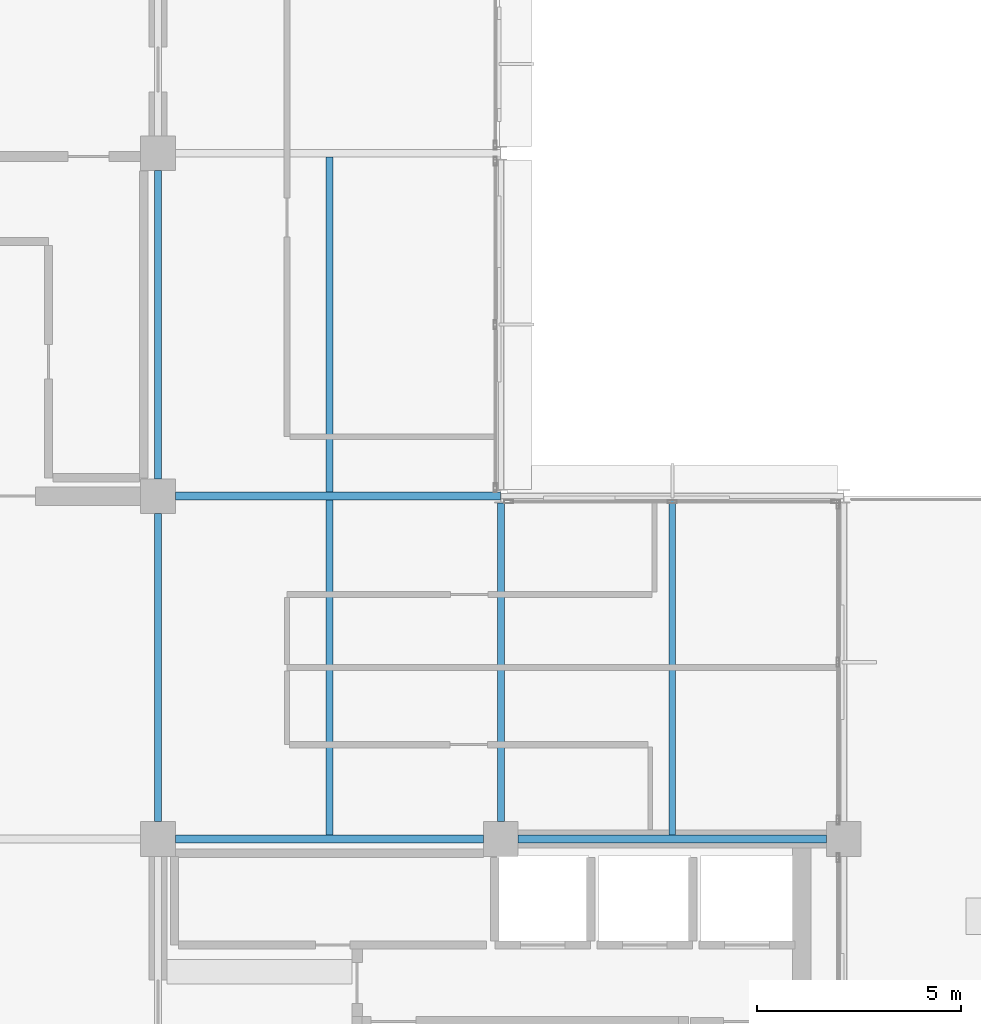
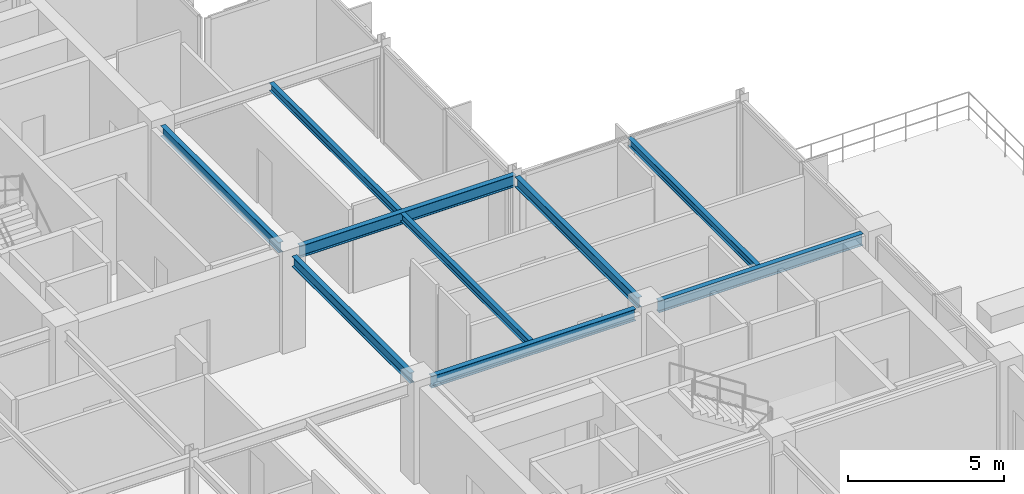
# One storey, part 9 of 23: 9 beams.
"""IFC4 building model written with IfcOpenShell, lengths in metres."""

from ifc_helpers import new_model, si_unit, direction, frame, origin, origin_2d, place, context, subcontext, project, spatial, i_section, extrude, material, material_profile, profile_set, type_object, element, save


model = new_model("IFC4")

# Units and contexts
model_context = context("Model", 3, precision=1e-05, world=origin(), true_north=direction((0.0, 1.0)))
body_context = subcontext(model_context, "Body", "Model", "MODEL_VIEW")
ifc_project = project(units=[si_unit("LENGTHUNIT", "METRE"), si_unit("AREAUNIT", "SQUARE_METRE"), si_unit("VOLUMEUNIT", "CUBIC_METRE"), si_unit("PLANEANGLEUNIT", "RADIAN"), si_unit("MASSUNIT", "GRAM", prefix="KILO")], contexts=[model_context])

# Site, building, storey
site_placement = place(None, origin())
site = spatial("IfcSite", under=ifc_project, at=site_placement, CompositionType="ELEMENT")
building_placement = place(site_placement, origin())
building = spatial("IfcBuilding", under=site, at=building_placement, Name="Nerrivon Quay Data Exchange", CompositionType="ELEMENT")
storey_placement = place(building_placement, frame((0.0, 0.0, 286.199951171875)))
storey = spatial("IfcBuildingStorey", under=building, at=storey_placement, Name="L68", CompositionType="ELEMENT", Elevation=286.199951171875)

# Beams
ifc_material = material(Name="Steel Grade 350", Category="steel")
ifc_material_profile_1 = material_profile(ifc_material, i_section(OverallWidth=0.18994140625, OverallDepth=0.4541015625, WebThickness=0.008544921875, FlangeThickness=0.0126953125, FilletRadius=0.011474609375, at=origin_2d()), Name="460UB67.1")
ifc_profile_set_1 = profile_set([ifc_material_profile_1], Name="Steel Grade 350")
beam_type_1 = type_object("IfcBeamType", Name="BM-G6-460UB67", PredefinedType="BEAM", material=ifc_profile_set_1)
beam_1_placement = place(storey_placement, frame((17.22509765625, 16.800048828125, 3.498046875), z_axis=(1.0, 0.0, 0.0), x_axis=(0.0, 1.0, 0.0)))
element("IfcBeam", 1, at=beam_1_placement, inside=storey, type_object=beam_type_1, Name="L68 EW Girder Y=16.8 (16.8..25.2)", PredefinedType="BEAM", context=body_context, shape_type="SweptSolid", body=[
    extrude(i_section(OverallWidth=0.18994140625, OverallDepth=0.4541015625, WebThickness=0.008544921875, FlangeThickness=0.0126953125, FilletRadius=0.011474609375, at=origin_2d()), origin(), (0.0, 0.0, 1.0), 7.5498046875),
])
beam_2_placement = place(storey_placement, frame((25.625, 16.800048828125, 3.498046875), z_axis=(1.0, 0.0, 0.0), x_axis=(0.0, 1.0, 0.0)))
element("IfcBeam", 2, at=beam_2_placement, inside=storey, type_object=beam_type_1, Name="L68 EW Girder Y=16.8 (25.2..33.6)", PredefinedType="BEAM", context=body_context, shape_type="SweptSolid", body=[
    extrude(i_section(OverallWidth=0.18994140625, OverallDepth=0.4541015625, WebThickness=0.008544921875, FlangeThickness=0.0126953125, FilletRadius=0.011474609375, at=origin_2d()), origin(), (0.0, 0.0, 1.0), 7.550048828125),
])
beam_3_placement = place(storey_placement, frame((17.22509765625, 25.199951171875, 3.498046875), z_axis=(1.0, 0.0, 0.0), x_axis=(0.0, 1.0, 0.0)))
element("IfcBeam", 3, at=beam_3_placement, inside=storey, type_object=beam_type_1, Name="L68 EW Girder Y=25.2 (16.8..25.2)", PredefinedType="BEAM", context=body_context, shape_type="SweptSolid", body=[
    extrude(i_section(OverallWidth=0.18994140625, OverallDepth=0.4541015625, WebThickness=0.008544921875, FlangeThickness=0.0126953125, FilletRadius=0.011474609375, at=origin_2d()), origin(), (0.0, 0.0, 1.0), 7.967041015625),
])
ifc_material_profile_2 = material_profile(ifc_material, i_section(OverallWidth=0.177978515625, OverallDepth=0.406005859375, WebThickness=0.0078125, FlangeThickness=0.0126953125, FilletRadius=0.011474609375, at=origin_2d()), Name="410UB59.7")
ifc_profile_set_2 = profile_set([ifc_material_profile_2], Name="Steel Grade 350")
beam_type_2 = type_object("IfcBeamType", Name="BM-J1-410UB60", PredefinedType="JOIST", material=ifc_profile_set_2)
beam_4_placement = place(storey_placement, frame((16.800048828125, 17.22509765625, 3.52197265625), z_axis=(0.0, 1.0, 0.0), x_axis=(-1.0, 0.0, 0.0)))
element("IfcBeam", 4, at=beam_4_placement, inside=storey, type_object=beam_type_2, Name="L68 NS Girder X=16.8 (16.8..25.2)", PredefinedType="JOIST", context=body_context, shape_type="SweptSolid", body=[
    extrude(i_section(OverallWidth=0.177978515625, OverallDepth=0.406005859375, WebThickness=0.0078125, FlangeThickness=0.0126953125, FilletRadius=0.011474609375, at=origin_2d()), origin(), (0.0, 0.0, 1.0), 7.5498046875),
])
beam_5_placement = place(storey_placement, frame((16.800048828125, 25.625, 3.52197265625), z_axis=(0.0, 1.0, 0.0), x_axis=(-1.0, 0.0, 0.0)))
element("IfcBeam", 5, at=beam_5_placement, inside=storey, type_object=beam_type_2, Name="L68 NS Girder X=16.8 (25.2..33.6)", PredefinedType="JOIST", context=body_context, shape_type="SweptSolid", body=[
    extrude(i_section(OverallWidth=0.177978515625, OverallDepth=0.406005859375, WebThickness=0.0078125, FlangeThickness=0.0126953125, FilletRadius=0.011474609375, at=origin_2d()), origin(), (0.0, 0.0, 1.0), 7.550048828125),
])
beam_6_placement = place(storey_placement, frame((25.199951171875, 17.22509765625, 3.52197265625), z_axis=(0.0, 1.0, 0.0), x_axis=(-1.0, 0.0, 0.0)))
element("IfcBeam", 6, at=beam_6_placement, inside=storey, type_object=beam_type_2, Name="L68 NS Girder X=25.2 (16.8..25.2)", PredefinedType="JOIST", context=body_context, shape_type="SweptSolid", body=[
    extrude(i_section(OverallWidth=0.177978515625, OverallDepth=0.406005859375, WebThickness=0.0078125, FlangeThickness=0.0126953125, FilletRadius=0.011474609375, at=origin_2d()), origin(), (0.0, 0.0, 1.0), 7.8115234375),
])
ifc_material_profile_3 = material_profile(ifc_material, i_section(OverallWidth=0.1650390625, OverallDepth=0.303955078125, WebThickness=0.006103515625, FlangeThickness=0.01025390625, FilletRadius=0.011474609375, at=origin_2d()), Name="310UB40.4")
ifc_profile_set_3 = profile_set([ifc_material_profile_3], Name="Steel Grade 350")
beam_type_3 = type_object("IfcBeamType", Name="BM-J6-310UB40", PredefinedType="JOIST", material=ifc_profile_set_3)
for number, where, z_axis, x_axis, name in (
    (7, (21.0, 16.89501953125, 3.572998046875), (0.0, 1.0, 0.0), (-1.0, 0.0, 0.0), "L68 Secondary Joist X=21.0 (16.8..25.2)"),
    (8, (21.0, 25.294921875, 3.572998046875), (0.0, 1.0, 0.0), (-1.0, 0.0, 0.0), "L68 Secondary Joist X=21.0 (25.2..33.6)"),
):
    element("IfcBeam", number, at=place(storey_placement, frame(where, z_axis=z_axis, x_axis=x_axis)), inside=storey, type_object=beam_type_3, Name=name, PredefinedType="JOIST", context=body_context, shape_type="SweptSolid", body=[
        extrude(i_section(OverallWidth=0.1650390625, OverallDepth=0.303955078125, WebThickness=0.006103515625, FlangeThickness=0.01025390625, FilletRadius=0.011474609375, at=origin_2d()), origin(), (0.0, 0.0, 1.0), 8.2099609375),
    ])
beam_7_placement = place(storey_placement, frame((29.39990234375, 16.89501953125, 3.572998046875), z_axis=(0.0, 1.0, 0.0), x_axis=(-1.0, 0.0, 0.0)))
element("IfcBeam", 9, at=beam_7_placement, inside=storey, type_object=beam_type_3, Name="L68 Secondary Joist X=29.4 (16.8..25.2)", PredefinedType="JOIST", context=body_context, shape_type="SweptSolid", body=[
    extrude(i_section(OverallWidth=0.1650390625, OverallDepth=0.303955078125, WebThickness=0.006103515625, FlangeThickness=0.01025390625, FilletRadius=0.011474609375, at=origin_2d()), origin(), (0.0, 0.0, 1.0), 8.22998046875),
])

save(model, "model.ifc")
